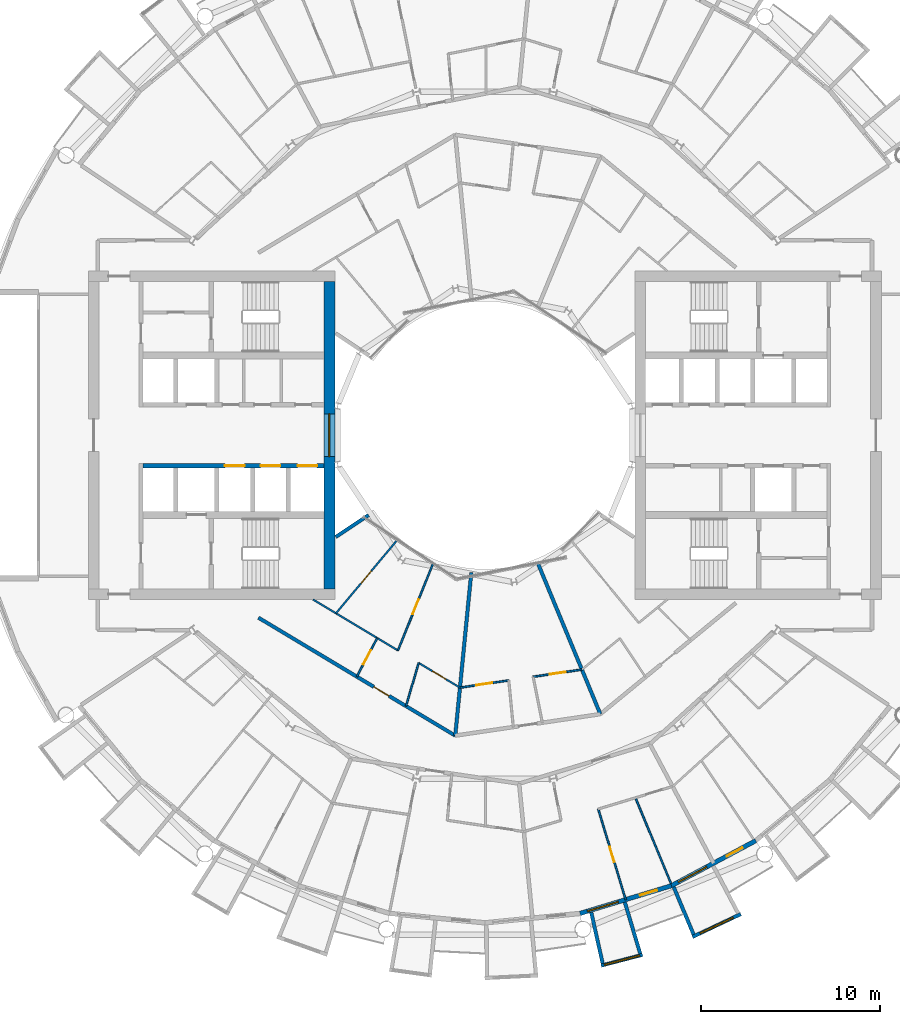
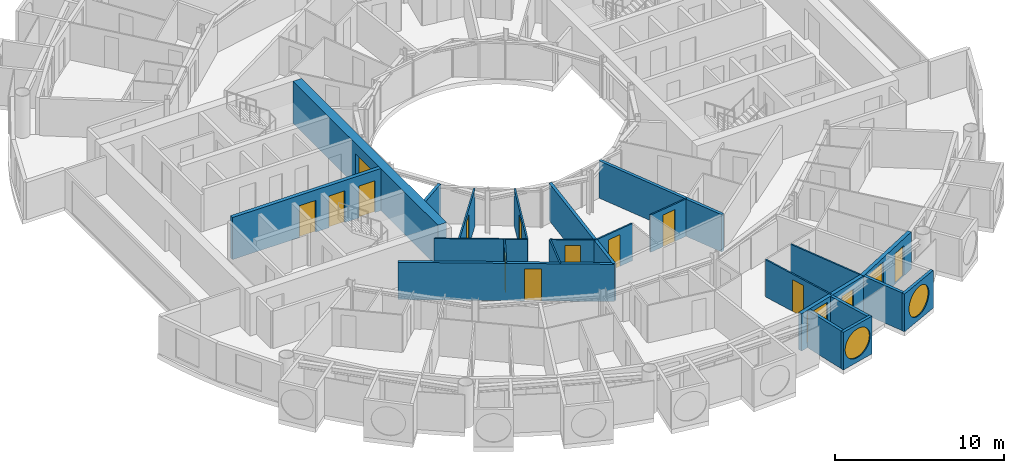
# One storey, part 16 of 28: 23 walls, 13 doors, 5 windows, 18 openings.
"""IFC4 building model written with IfcOpenShell, lengths in metres."""

from ifc_helpers import new_model, si_unit, direction, frame, frame_2d, origin, place, context, subcontext, project, spatial, rectangle, circle, extrude, material, layer, layer_set, type_object, element, fill, save


model = new_model("IFC4")

# Units and contexts
model_context = context("Model", 3, precision=1e-05, world=origin(), true_north=direction((0.0, 1.0)))
body_context = subcontext(model_context, "Body", "Model", "MODEL_VIEW")
ifc_project = project(units=[si_unit("LENGTHUNIT", "METRE"), si_unit("AREAUNIT", "SQUARE_METRE"), si_unit("VOLUMEUNIT", "CUBIC_METRE"), si_unit("PLANEANGLEUNIT", "RADIAN"), si_unit("MASSUNIT", "GRAM", prefix="KILO")], contexts=[model_context])

# Site, building, storey
site_placement = place(None, origin())
site = spatial("IfcSite", under=ifc_project, at=site_placement, CompositionType="ELEMENT")
building_placement = place(site_placement, origin())
building = spatial("IfcBuilding", under=site, at=building_placement, Name="Maasbend Ring Residences", CompositionType="ELEMENT")
storey_placement = place(building_placement, frame((0.0, 0.0, 129.949951171875)))
storey = spatial("IfcBuildingStorey", under=building, at=storey_placement, Name="L37", CompositionType="ELEMENT", Elevation=129.949951171875)

# Wall, openings, doors
ifc_material_1 = material(Name="Concrete C60/75", Category="concrete")
ifc_layer_1 = layer(ifc_material_1, 0.25)
ifc_layer_set_1 = layer_set([ifc_layer_1], Name="Concrete C60/75")
wall_type_1 = type_object("IfcWallType", Name="CORE WALL 250 C60/75", PredefinedType="SHEAR", material=ifc_layer_set_1)
wall_1_placement = place(storey_placement, frame((-9.0, -1.699951171875, 0.0), z_axis=(0.0, 0.0, 1.0), x_axis=(-1.0, 0.0, 0.0)))
wall_1 = element("IfcWall", 1, at=wall_1_placement, inside=storey, type_object=wall_type_1, Name="L37 core W wall SPN", PredefinedType="SHEAR", context=body_context, shape_type="SweptSolid", body=[
    extrude(rectangle(XDim=10.14990234375, YDim=0.25, at=frame_2d((5.074951171875, 0.0))), origin(), (0.0, 0.0, 1.0), 3.050048828125),
])
opening_1_placement = place(wall_1_placement, frame((0.387451171875, 0.0, 0.0)))
opening_1 = element("IfcOpeningElement", 2, at=opening_1_placement, cuts=wall_1, Name="Opening LD-W3701", PredefinedType="OPENING", context=body_context, shape_type="SweptSolid", body=[
    extrude(rectangle(XDim=1.10009765625, YDim=2.300048828125, at=frame_2d((0.550048828125, 1.14990234375))), frame((0.0, 0.135009765625, 0.0), z_axis=(0.0, -1.0, 0.0), x_axis=(1.0, 0.0, 0.0)), (0.0, 0.0, 1.0), 0.27001953125),
])
opening_2_placement = place(wall_1_placement, frame((2.449951171875, 0.0, 0.0)))
opening_2 = element("IfcOpeningElement", 3, at=opening_2_placement, cuts=wall_1, Name="Opening LD-W3702", PredefinedType="OPENING", context=body_context, shape_type="SweptSolid", body=[
    extrude(rectangle(XDim=1.10009765625, YDim=2.300048828125, at=frame_2d((0.550048828125, 1.14990234375))), frame((0.0, 0.135009765625, 0.0), z_axis=(0.0, -1.0, 0.0), x_axis=(1.0, 0.0, 0.0)), (0.0, 0.0, 1.0), 0.27001953125),
])
opening_3_placement = place(wall_1_placement, frame((4.449951171875, 0.0, 0.0)))
opening_3 = element("IfcOpeningElement", 4, at=opening_3_placement, cuts=wall_1, Name="Opening LD-W3703", PredefinedType="OPENING", context=body_context, shape_type="SweptSolid", body=[
    extrude(rectangle(XDim=1.10009765625, YDim=2.300048828125, at=frame_2d((0.550048828125, 1.14990234375))), frame((0.0, 0.135009765625, 0.0), z_axis=(0.0, -1.0, 0.0), x_axis=(1.0, 0.0, 0.0)), (0.0, 0.0, 1.0), 0.27001953125),
])
ifc_material_2 = material(Name="Stainless steel 316", Category="steel")
door_type_1 = type_object("IfcDoorType", Name="LANDING DOOR 1100 X 2300 FD60", OperationType="DOUBLE_DOOR_SLIDING", PredefinedType="DOOR", material=ifc_material_2)
door_1_placement = place(opening_1_placement, origin())
door_1 = element("IfcDoor", 5, at=door_1_placement, inside=storey, type_object=door_type_1, Name="Landing door LR-W1 L37", OperationType="DOUBLE_DOOR_SLIDING", OverallHeight=2.300048828125, OverallWidth=1.10009765625, PredefinedType="DOOR", context=body_context, shape_type="SweptSolid", body=[
    extrude(rectangle(XDim=1.10009765625, YDim=2.300048828125, at=frame_2d((0.550048828125, 1.14990234375))), frame((0.0, 0.02490234375, 0.0), z_axis=(0.0, -1.0, 0.0), x_axis=(1.0, 0.0, 0.0)), (0.0, 0.0, 1.0), 0.050048828125),
])
fill(opening_1, door_1)
door_2_placement = place(opening_2_placement, origin())
door_2 = element("IfcDoor", 6, at=door_2_placement, inside=storey, type_object=door_type_1, Name="Landing door LR-W2 L37", OperationType="DOUBLE_DOOR_SLIDING", OverallHeight=2.300048828125, OverallWidth=1.10009765625, PredefinedType="DOOR", context=body_context, shape_type="SweptSolid", body=[
    extrude(rectangle(XDim=1.10009765625, YDim=2.300048828125, at=frame_2d((0.550048828125, 1.14990234375))), frame((0.0, 0.02490234375, 0.0), z_axis=(0.0, -1.0, 0.0), x_axis=(1.0, 0.0, 0.0)), (0.0, 0.0, 1.0), 0.050048828125),
])
fill(opening_2, door_2)
door_3_placement = place(opening_3_placement, origin())
door_3 = element("IfcDoor", 7, at=door_3_placement, inside=storey, type_object=door_type_1, Name="Landing door LR-W3 L37", OperationType="DOUBLE_DOOR_SLIDING", OverallHeight=2.300048828125, OverallWidth=1.10009765625, PredefinedType="DOOR", context=body_context, shape_type="SweptSolid", body=[
    extrude(rectangle(XDim=1.10009765625, YDim=2.300048828125, at=frame_2d((0.550048828125, 1.14990234375))), frame((0.0, 0.02490234375, 0.0), z_axis=(0.0, -1.0, 0.0), x_axis=(1.0, 0.0, 0.0)), (0.0, 0.0, 1.0), 0.050048828125),
])
fill(opening_3, door_3)

# Wall, opening, window
ifc_material_3 = material(Name="Concrete C60/75", Category="concrete")
ifc_layer_2 = layer(ifc_material_3, 0.60009765625)
ifc_layer_set_2 = layer_set([ifc_layer_2], Name="Concrete C60/75")
wall_type_2 = type_object("IfcWallType", Name="CORE WALL 600 C60/75", PredefinedType="SHEAR", material=ifc_layer_set_2)
wall_2_placement = place(storey_placement, frame((-8.699951171875, 8.60009765625, 0.0), z_axis=(0.0, 0.0, 1.0), x_axis=(0.0, -1.0, 0.0)))
wall_2 = element("IfcWall", 8, at=wall_2_placement, inside=storey, type_object=wall_type_2, Name="L37 core W wall PIN", PredefinedType="SHEAR", context=body_context, shape_type="SweptSolid", body=[
    extrude(rectangle(XDim=17.2001953125, YDim=0.60009765625, at=frame_2d((8.60009765625, 0.0))), origin(), (0.0, 0.0, 1.0), 3.050048828125),
])
opening_4_placement = place(wall_2_placement, frame((7.39990234375, 0.0, 0.10009765625)))
opening_4 = element("IfcOpeningElement", 9, at=opening_4_placement, cuts=wall_2, Name="Opening W-W3701", PredefinedType="OPENING", context=body_context, shape_type="SweptSolid", body=[
    extrude(rectangle(XDim=2.39990234375, YDim=2.199951171875, at=frame_2d((1.199951171875, 1.10009765625))), frame((0.0, 0.31005859375, 0.0), z_axis=(0.0, -1.0, 0.0), x_axis=(1.0, 0.0, 0.0)), (0.0, 0.0, 1.0), 0.6201171875),
])
ifc_material_4 = material(Name="Aluminium frame and clear glass", Category="aluminium")
window_type_1 = type_object("IfcWindowType", Name="FIXED WINDOW 2400 X 2200", PartitioningType="SINGLE_PANEL", PredefinedType="WINDOW", material=ifc_material_4)
window_1_placement = place(opening_4_placement, origin())
window_1 = element("IfcWindow", 10, at=window_1_placement, inside=storey, type_object=window_type_1, Name="Lobby window L37", OverallHeight=2.199951171875, OverallWidth=2.39990234375, PartitioningType="SINGLE_PANEL", PredefinedType="WINDOW", context=body_context, shape_type="SweptSolid", body=[
    extrude(rectangle(XDim=2.39990234375, YDim=2.199951171875, at=frame_2d((1.199951171875, 1.10009765625))), frame((0.0, 0.030029296875, 0.0), z_axis=(0.0, -1.0, 0.0), x_axis=(1.0, 0.0, 0.0)), (0.0, 0.0, 1.0), 0.06005859375),
])
fill(opening_4, window_1)

# Wall, opening, door
ifc_material_5 = material(Name="Concrete C30/37", Category="concrete")
ifc_layer_3 = layer(ifc_material_5, 0.199951171875)
ifc_layer_set_3 = layer_set([ifc_layer_3], Name="Concrete C30/37")
wall_type_3 = type_object("IfcWallType", Name="CORRIDOR WALL 200 CONCRETE", PredefinedType="PARTITIONING", material=ifc_layer_set_3)
wall_3_placement = place(storey_placement, frame((-12.674072265625, -10.216064453125, 0.0), z_axis=(0.0, 0.0, 1.0), x_axis=(0.857761135463, -0.514048474844, 0.0)))
wall_3 = element("IfcWall", 11, at=wall_3_placement, inside=storey, type_object=wall_type_3, Name="U-L37-w018", PredefinedType="PARTITIONING", context=body_context, shape_type="SweptSolid", body=[
    extrude(rectangle(XDim=12.84521484375, YDim=0.199951171875, at=frame_2d((6.422607421875, 0.0))), origin(), (0.0, 0.0, 1.0), 2.699951171875),
])
opening_5_placement = place(wall_3_placement, frame((7.527099609375, 0.0, 0.0)))
opening_5 = element("IfcOpeningElement", 12, at=opening_5_placement, cuts=wall_3, Name="Opening D-3759", PredefinedType="OPENING", context=body_context, shape_type="SweptSolid", body=[
    extrude(rectangle(XDim=1.0, YDim=2.300048828125, at=frame_2d((0.5, 1.14990234375))), frame((0.0, 0.10986328125, 0.0), z_axis=(0.0, -1.0, 0.0), x_axis=(1.0, 0.0, 0.0)), (0.0, 0.0, 1.0), 0.219970703125),
])
ifc_material_6 = material(Name="Timber, fire-rated, painted", Category="wood")
door_type_2 = type_object("IfcDoorType", Name="FLAT ENTRANCE DOOR 1000 X 2300 FIRE-RATED", OperationType="NOTDEFINED", PredefinedType="DOOR", material=ifc_material_6)
door_4_placement = place(opening_5_placement, origin())
door_4 = element("IfcDoor", 13, at=door_4_placement, inside=storey, type_object=door_type_2, Name="D-3759", OperationType="SINGLE_SWING_RIGHT", OverallHeight=2.300048828125, OverallWidth=1.0, PredefinedType="DOOR", context=body_context, shape_type="SweptSolid", body=[
    extrude(rectangle(XDim=1.0, YDim=2.300048828125, at=frame_2d((0.5, 1.14990234375))), frame((0.0, 0.02490234375, 0.0), z_axis=(0.0, -1.0, 0.0), x_axis=(1.0, 0.0, 0.0)), (0.0, 0.0, 1.0), 0.050048828125),
])
fill(opening_5, door_4)

# Wall, opening, window
ifc_material_7 = material(Name="Pale anodised aluminium panel", Category="aluminium")
ifc_layer_4 = layer(ifc_material_7, 0.199951171875)
ifc_layer_set_4 = layer_set([ifc_layer_4], Name="EW-BOX")
wall_type_4 = type_object("IfcWallType", Name="EW-BOX", PredefinedType="SOLIDWALL", material=ifc_layer_set_4)
wall_4_placement = place(storey_placement, frame((6.514892578125, -29.694091796875, -0.030029296875), z_axis=(0.0, 0.0, 1.0), x_axis=(0.967554339146, 0.252663018266, 0.0)))
wall_4 = element("IfcWall", 14, at=wall_4_placement, inside=storey, type_object=wall_type_4, Name="Box front S13", PredefinedType="SOLIDWALL", context=body_context, shape_type="SweptSolid", body=[
    extrude(rectangle(XDim=2.390625, YDim=0.199951171875, at=frame_2d((1.1953125, 0.0))), origin(), (0.0, 0.0, 1.0), 2.72998046875),
])
opening_6_placement = place(wall_4_placement, frame((0.15576171875, 0.0, 0.330078125)))
opening_6 = element("IfcOpeningElement", 15, at=opening_6_placement, cuts=wall_4, Name="Opening W-RD", PredefinedType="OPENING", context=body_context, shape_type="SweptSolid", body=[
    extrude(circle(Radius=1.0400390625, at=frame_2d((1.0400390625, 1.0400390625))), frame((0.0, 0.10986328125, 0.0), z_axis=(0.0, -1.0, 0.0), x_axis=(1.0, 0.0, 0.0)), (0.0, 0.0, 1.0), 0.219970703125),
])
ifc_material_8 = material(Name="Aluminium and clear glass", Category="aluminium")
window_type_2 = type_object("IfcWindowType", Name="W-RD", PartitioningType="SINGLE_PANEL", PredefinedType="WINDOW", material=ifc_material_8)
window_2_placement = place(opening_6_placement, origin())
window_2 = element("IfcWindow", 16, at=window_2_placement, inside=storey, type_object=window_type_2, Name="Round window S13", OverallHeight=2.080078125, OverallWidth=2.080078125, PartitioningType="SINGLE_PANEL", PredefinedType="WINDOW", context=body_context, shape_type="SweptSolid", body=[
    extrude(circle(Radius=1.0400390625, at=frame_2d((1.0400390625, 1.0400390625))), frame((0.0, 0.030029296875, 0.0), z_axis=(0.0, -1.0, 0.0), x_axis=(1.0, 0.0, 0.0)), (0.0, 0.0, 1.0), 0.06005859375),
])
fill(opening_6, window_2)

# Walls
wall_5_placement = place(storey_placement, frame((5.95703125, -26.715087890625, -0.030029296875), z_axis=(0.0, 0.0, 1.0), x_axis=(0.217857287091, -0.975980636315, 0.0)))
element("IfcWall", 17, at=wall_5_placement, inside=storey, type_object=wall_type_4, Name="Box side wall S13 left", PredefinedType="SOLIDWALL", context=body_context, shape_type="SweptSolid", body=[
    extrude(rectangle(XDim=2.92822265625, YDim=0.199951171875, at=frame_2d((1.464111328125, 0.0))), origin(), (0.0, 0.0, 1.0), 2.72998046875),
])
wall_6_placement = place(storey_placement, frame((7.8369140625, -26.14404296875, -0.030029296875), z_axis=(0.0, 0.0, 1.0), x_axis=(0.287064767992, -0.957911174889, 0.0)))
element("IfcWall", 18, at=wall_6_placement, inside=storey, type_object=wall_type_4, Name="Box side wall S13 right", PredefinedType="SOLIDWALL", context=body_context, shape_type="SweptSolid", body=[
    extrude(rectangle(XDim=3.00634765625, YDim=0.199951171875, at=frame_2d((1.503173828125, 0.0))), origin(), (0.0, 0.0, 1.0), 2.72998046875),
])

# Wall, opening, window
wall_7_placement = place(storey_placement, frame((11.62890625, -28.087890625, -0.030029296875), z_axis=(0.0, 0.0, 1.0), x_axis=(0.904000060331, 0.427532327342, 0.0)))
wall_7 = element("IfcWall", 19, at=wall_7_placement, inside=storey, type_object=wall_type_4, Name="Box front S15", PredefinedType="SOLIDWALL", context=body_context, shape_type="SweptSolid", body=[
    extrude(rectangle(XDim=2.993408203125, YDim=0.199951171875, at=frame_2d((1.49658203125, 0.0))), origin(), (0.0, 0.0, 1.0), 2.72998046875),
])
opening_7_placement = place(wall_7_placement, frame((0.45654296875, 0.0, 0.330078125)))
opening_7 = element("IfcOpeningElement", 20, at=opening_7_placement, cuts=wall_7, Name="Opening W-RD", PredefinedType="OPENING", context=body_context, shape_type="SweptSolid", body=[
    extrude(circle(Radius=1.0400390625, at=frame_2d((1.0400390625, 1.0400390625))), frame((0.0, 0.10986328125, 0.0), z_axis=(0.0, -1.0, 0.0), x_axis=(1.0, 0.0, 0.0)), (0.0, 0.0, 1.0), 0.219970703125),
])
window_3_placement = place(opening_7_placement, origin())
window_3 = element("IfcWindow", 21, at=window_3_placement, inside=storey, type_object=window_type_2, Name="Round window S15", OverallHeight=2.080078125, OverallWidth=2.080078125, PartitioningType="SINGLE_PANEL", PredefinedType="WINDOW", context=body_context, shape_type="SweptSolid", body=[
    extrude(circle(Radius=1.0400390625, at=frame_2d((1.0400390625, 1.0400390625))), frame((0.0, 0.030029296875, 0.0), z_axis=(0.0, -1.0, 0.0), x_axis=(1.0, 0.0, 0.0)), (0.0, 0.0, 1.0), 0.06005859375),
])
fill(opening_7, window_3)

# Wall
wall_8_placement = place(storey_placement, frame((10.574951171875, -25.294921875, -0.030029296875), z_axis=(0.0, 0.0, 1.0), x_axis=(0.385697364644, -0.922625353492, 0.0)))
element("IfcWall", 22, at=wall_8_placement, inside=storey, type_object=wall_type_4, Name="Box side wall S15 left", PredefinedType="SOLIDWALL", context=body_context, shape_type="SweptSolid", body=[
    extrude(rectangle(XDim=2.88330078125, YDim=0.199951171875, at=frame_2d((1.441650390625, 0.0))), origin(), (0.0, 0.0, 1.0), 2.72998046875),
])

# Wall, openings, door, window
ifc_material_9 = material(Name="Aluminium clad insulated panel", Category="aluminium")
ifc_layer_5 = layer(ifc_material_9, 0.25)
ifc_layer_set_5 = layer_set([ifc_layer_5], Name="EW-GL")
wall_type_5 = type_object("IfcWallType", Name="EW-GL", PredefinedType="SOLIDWALL", material=ifc_layer_set_5)
wall_9_placement = place(storey_placement, frame((5.325927734375, -26.77490234375, 0.0), z_axis=(0.0, 0.0, 1.0), x_axis=(0.956965678721, 0.290201119486, 0.0)))
wall_9 = element("IfcWall", 23, at=wall_9_placement, inside=storey, type_object=wall_type_5, Name="External wall S07", PredefinedType="SOLIDWALL", context=body_context, shape_type="SweptSolid", body=[
    extrude(rectangle(XDim=5.351318359375, YDim=0.25, at=frame_2d((2.67578125, 0.0))), origin(), (0.0, 0.0, 1.0), 2.699951171875),
])
opening_8_placement = place(wall_9_placement, frame((0.441162109375, 0.0, 0.300048828125)))
opening_8 = element("IfcOpeningElement", 24, at=opening_8_placement, cuts=wall_9, Name="Opening W-BX", PredefinedType="OPENING", context=body_context, shape_type="SweptSolid", body=[
    extrude(rectangle(XDim=1.800048828125, YDim=2.10009765625, at=frame_2d((0.89990234375, 1.050048828125))), frame((0.0, 0.135009765625, 0.0), z_axis=(0.0, -1.0, 0.0), x_axis=(1.0, 0.0, 0.0)), (0.0, 0.0, 1.0), 0.27001953125),
])
opening_9_placement = place(wall_9_placement, frame((3.510498046875, 0.0, 0.0)))
opening_9 = element("IfcOpeningElement", 25, at=opening_9_placement, cuts=wall_9, Name="Opening D-LG", PredefinedType="OPENING", context=body_context, shape_type="SweptSolid", body=[
    extrude(rectangle(XDim=1.0, YDim=2.199951171875, at=frame_2d((0.5, 1.10009765625))), frame((0.0, 0.135009765625, 0.0), z_axis=(0.0, -1.0, 0.0), x_axis=(1.0, 0.0, 0.0)), (0.0, 0.0, 1.0), 0.27001953125),
])
ifc_material_10 = material(Name="Aluminium and clear glass", Category="aluminium")
door_type_3 = type_object("IfcDoorType", Name="D-LG", OperationType="SINGLE_SWING_LEFT", PredefinedType="DOOR", material=ifc_material_10)
door_5_placement = place(opening_9_placement, origin())
door_5 = element("IfcDoor", 26, at=door_5_placement, inside=storey, type_object=door_type_3, Name="Loggia door S14", OperationType="SINGLE_SWING_LEFT", OverallHeight=2.199951171875, OverallWidth=1.0, PredefinedType="DOOR", context=body_context, shape_type="SweptSolid", body=[
    extrude(rectangle(XDim=1.0, YDim=2.199951171875, at=frame_2d((0.5, 1.10009765625))), frame((0.0, 0.02490234375, 0.0), z_axis=(0.0, -1.0, 0.0), x_axis=(1.0, 0.0, 0.0)), (0.0, 0.0, 1.0), 0.050048828125),
])
fill(opening_9, door_5)
ifc_material_11 = material(Name="Aluminium and clear glass", Category="aluminium")
window_type_3 = type_object("IfcWindowType", Name="W-BX", PartitioningType="DOUBLE_PANEL_VERTICAL", PredefinedType="WINDOW", material=ifc_material_11)
window_4_placement = place(opening_8_placement, origin())
window_4 = element("IfcWindow", 27, at=window_4_placement, inside=storey, type_object=window_type_3, Name="Window S13 room to box", OverallHeight=2.10009765625, OverallWidth=1.800048828125, PartitioningType="SINGLE_PANEL", PredefinedType="WINDOW", context=body_context, shape_type="SweptSolid", body=[
    extrude(rectangle(XDim=1.800048828125, YDim=2.10009765625, at=frame_2d((0.89990234375, 1.050048828125))), frame((0.0, 0.030029296875, 0.0), z_axis=(0.0, -1.0, 0.0), x_axis=(1.0, 0.0, 0.0)), (0.0, 0.0, 1.0), 0.06005859375),
])
fill(opening_8, window_4)

wall_10_placement = place(storey_placement, frame((10.447021484375, -25.221923828125, 0.0), z_axis=(0.0, 0.0, 1.0), x_axis=(0.881915646801, 0.471407246368, 0.0)))
wall_10 = element("IfcWall", 28, at=wall_10_placement, inside=storey, type_object=wall_type_5, Name="External wall S08", PredefinedType="SOLIDWALL", context=body_context, shape_type="SweptSolid", body=[
    extrude(rectangle(XDim=5.35205078125, YDim=0.25, at=frame_2d((2.676025390625, 0.0))), origin(), (0.0, 0.0, 1.0), 2.699951171875),
])
opening_10_placement = place(wall_10_placement, frame((0.441162109375, 0.0, 0.300048828125)))
opening_10 = element("IfcOpeningElement", 29, at=opening_10_placement, cuts=wall_10, Name="Opening W-BX", PredefinedType="OPENING", context=body_context, shape_type="SweptSolid", body=[
    extrude(rectangle(XDim=1.800048828125, YDim=2.10009765625, at=frame_2d((0.89990234375, 1.050048828125))), frame((0.0, 0.135009765625, 0.0), z_axis=(0.0, -1.0, 0.0), x_axis=(1.0, 0.0, 0.0)), (0.0, 0.0, 1.0), 0.27001953125),
])
opening_11_placement = place(wall_10_placement, frame((3.510498046875, 0.0, 0.0)))
opening_11 = element("IfcOpeningElement", 30, at=opening_11_placement, cuts=wall_10, Name="Opening D-LG", PredefinedType="OPENING", context=body_context, shape_type="SweptSolid", body=[
    extrude(rectangle(XDim=1.0, YDim=2.199951171875, at=frame_2d((0.5, 1.10009765625))), frame((0.0, 0.135009765625, 0.0), z_axis=(0.0, -1.0, 0.0), x_axis=(1.0, 0.0, 0.0)), (0.0, 0.0, 1.0), 0.27001953125),
])
door_6_placement = place(opening_11_placement, origin())
door_6 = element("IfcDoor", 31, at=door_6_placement, inside=storey, type_object=door_type_3, Name="Loggia door S16", OperationType="SINGLE_SWING_LEFT", OverallHeight=2.199951171875, OverallWidth=1.0, PredefinedType="DOOR", context=body_context, shape_type="SweptSolid", body=[
    extrude(rectangle(XDim=1.0, YDim=2.199951171875, at=frame_2d((0.5, 1.10009765625))), frame((0.0, 0.02490234375, 0.0), z_axis=(0.0, -1.0, 0.0), x_axis=(1.0, 0.0, 0.0)), (0.0, 0.0, 1.0), 0.050048828125),
])
fill(opening_11, door_6)
window_5_placement = place(opening_10_placement, origin())
window_5 = element("IfcWindow", 32, at=window_5_placement, inside=storey, type_object=window_type_3, Name="Window S15 room to box", OverallHeight=2.10009765625, OverallWidth=1.800048828125, PartitioningType="SINGLE_PANEL", PredefinedType="WINDOW", context=body_context, shape_type="SweptSolid", body=[
    extrude(rectangle(XDim=1.800048828125, YDim=2.10009765625, at=frame_2d((0.89990234375, 1.050048828125))), frame((0.0, 0.030029296875, 0.0), z_axis=(0.0, -1.0, 0.0), x_axis=(1.0, 0.0, 0.0)), (0.0, 0.0, 1.0), 0.06005859375),
])
fill(opening_10, window_5)

# Wall, opening, door
ifc_material_12 = material(Name="Gypsum board on steel studs", Category="steel")
ifc_layer_6 = layer(ifc_material_12, 0.10009765625)
ifc_layer_set_6 = layer_set([ifc_layer_6], Name="PARTITION 100 GYPSUM")
wall_type_6 = type_object("IfcWallType", Name="PARTITION 100 GYPSUM", PredefinedType="PARTITIONING", material=ifc_layer_set_6)
wall_11_placement = place(storey_placement, frame((-1.39208984375, -14.132080078125, 0.0), z_axis=(0.0, 0.0, 1.0), x_axis=(0.989182088026, 0.146692865293, 0.0)))
wall_11 = element("IfcWall", 33, at=wall_11_placement, inside=storey, type_object=wall_type_6, Name="U-L37-w019", PredefinedType="PARTITIONING", context=body_context, shape_type="SweptSolid", body=[
    extrude(rectangle(XDim=2.760986328125, YDim=0.10009765625, at=frame_2d((1.38037109375, 0.0))), origin(), (0.0, 0.0, 1.0), 2.699951171875),
])
opening_12_placement = place(wall_11_placement, frame((0.929931640625, 0.0, 0.0)))
opening_12 = element("IfcOpeningElement", 34, at=opening_12_placement, cuts=wall_11, Name="Opening D-3766", PredefinedType="OPENING", context=body_context, shape_type="SweptSolid", body=[
    extrude(rectangle(XDim=0.89990234375, YDim=2.300048828125, at=frame_2d((0.449951171875, 1.14990234375))), frame((0.0, 0.06005859375, 0.0), z_axis=(0.0, -1.0, 0.0), x_axis=(1.0, 0.0, 0.0)), (0.0, 0.0, 1.0), 0.1201171875),
])
ifc_material_13 = material(Name="Timber, painted", Category="wood")
door_type_4 = type_object("IfcDoorType", Name="INTERNAL DOOR 900 X 2300", OperationType="NOTDEFINED", PredefinedType="DOOR", material=ifc_material_13)
door_7_placement = place(opening_12_placement, origin())
door_7 = element("IfcDoor", 35, at=door_7_placement, inside=storey, type_object=door_type_4, Name="D-3766", OperationType="SINGLE_SWING_LEFT", OverallHeight=2.300048828125, OverallWidth=0.89990234375, PredefinedType="DOOR", context=body_context, shape_type="SweptSolid", body=[
    extrude(rectangle(XDim=0.89990234375, YDim=2.300048828125, at=frame_2d((0.449951171875, 1.14990234375))), frame((0.0, 0.02490234375, 0.0), z_axis=(0.0, -1.0, 0.0), x_axis=(1.0, 0.0, 0.0)), (0.0, 0.0, 1.0), 0.050048828125),
])
fill(opening_12, door_7)

wall_12_placement = place(storey_placement, frame((2.702880859375, -13.52490234375, 0.0), z_axis=(0.0, 0.0, 1.0), x_axis=(0.98918730894, 0.146657655211, 0.0)))
wall_12 = element("IfcWall", 36, at=wall_12_placement, inside=storey, type_object=wall_type_6, Name="U-L37-w020", PredefinedType="PARTITIONING", context=body_context, shape_type="SweptSolid", body=[
    extrude(rectangle(XDim=2.760009765625, YDim=0.10009765625, at=frame_2d((1.3798828125, 0.0))), origin(), (0.0, 0.0, 1.0), 2.699951171875),
])
opening_13_placement = place(wall_12_placement, frame((0.930908203125, 0.0, 0.0)))
opening_13 = element("IfcOpeningElement", 37, at=opening_13_placement, cuts=wall_12, Name="Opening D-3765", PredefinedType="OPENING", context=body_context, shape_type="SweptSolid", body=[
    extrude(rectangle(XDim=0.89990234375, YDim=2.300048828125, at=frame_2d((0.449951171875, 1.14990234375))), frame((0.0, 0.06005859375, 0.0), z_axis=(0.0, -1.0, 0.0), x_axis=(1.0, 0.0, 0.0)), (0.0, 0.0, 1.0), 0.1201171875),
])
door_8_placement = place(opening_13_placement, origin())
door_8 = element("IfcDoor", 38, at=door_8_placement, inside=storey, type_object=door_type_4, Name="D-3765", OperationType="SINGLE_SWING_RIGHT", OverallHeight=2.300048828125, OverallWidth=0.89990234375, PredefinedType="DOOR", context=body_context, shape_type="SweptSolid", body=[
    extrude(rectangle(XDim=0.89990234375, YDim=2.300048828125, at=frame_2d((0.449951171875, 1.14990234375))), frame((0.0, 0.02490234375, 0.0), z_axis=(0.0, -1.0, 0.0), x_axis=(1.0, 0.0, 0.0)), (0.0, 0.0, 1.0), 0.050048828125),
])
fill(opening_13, door_8)

# Wall
wall_13_placement = place(storey_placement, frame((-9.62109375, -9.198974609375, 0.0), z_axis=(0.0, 0.0, 1.0), x_axis=(0.857698539053, -0.514152911211, 0.0)))
element("IfcWall", 39, at=wall_13_placement, inside=storey, type_object=wall_type_6, Name="U-L37-w023", PredefinedType="PARTITIONING", context=body_context, shape_type="SweptSolid", body=[
    extrude(rectangle(XDim=5.55078125, YDim=0.10009765625, at=frame_2d((2.775390625, 0.0))), origin(), (0.0, 0.0, 1.0), 2.699951171875),
])

# Wall, opening, door
wall_14_placement = place(storey_placement, frame((-3.701904296875, -12.7470703125, 0.0), z_axis=(0.0, 0.0, 1.0), x_axis=(0.85772440305, -0.514109763001, 0.0)))
wall_14 = element("IfcWall", 40, at=wall_14_placement, inside=storey, type_object=wall_type_6, Name="U-L37-w024", PredefinedType="PARTITIONING", context=body_context, shape_type="SweptSolid", body=[
    extrude(rectangle(XDim=2.69775390625, YDim=0.10009765625, at=frame_2d((1.348876953125, 0.0))), origin(), (0.0, 0.0, 1.0), 2.699951171875),
])
opening_14_placement = place(wall_14_placement, frame((0.89404296875, 0.0, 0.0)))
opening_14 = element("IfcOpeningElement", 41, at=opening_14_placement, cuts=wall_14, Name="Opening D-3760", PredefinedType="OPENING", context=body_context, shape_type="SweptSolid", body=[
    extrude(rectangle(XDim=0.89990234375, YDim=2.300048828125, at=frame_2d((0.449951171875, 1.14990234375))), frame((0.0, 0.06005859375, 0.0), z_axis=(0.0, -1.0, 0.0), x_axis=(1.0, 0.0, 0.0)), (0.0, 0.0, 1.0), 0.1201171875),
])
door_9_placement = place(opening_14_placement, origin())
door_9 = element("IfcDoor", 42, at=door_9_placement, inside=storey, type_object=door_type_4, Name="D-3760", OperationType="SINGLE_SWING_LEFT", OverallHeight=2.300048828125, OverallWidth=0.89990234375, PredefinedType="DOOR", context=body_context, shape_type="SweptSolid", body=[
    extrude(rectangle(XDim=0.89990234375, YDim=2.300048828125, at=frame_2d((0.449951171875, 1.14990234375))), frame((0.0, 0.02490234375, 0.0), z_axis=(0.0, -1.0, 0.0), x_axis=(1.0, 0.0, 0.0)), (0.0, 0.0, 1.0), 0.050048828125),
])
fill(opening_14, door_9)

wall_15_placement = place(storey_placement, frame((-8.3349609375, -9.969970703125, 0.0), z_axis=(0.0, 0.0, 1.0), x_axis=(0.641376424834, 0.767226356213, 0.0)))
wall_15 = element("IfcWall", 43, at=wall_15_placement, inside=storey, type_object=wall_type_6, Name="U-L37-w044", PredefinedType="PARTITIONING", context=body_context, shape_type="SweptSolid", body=[
    extrude(rectangle(XDim=5.274658203125, YDim=0.10009765625, at=frame_2d((2.63720703125, 0.0))), origin(), (0.0, 0.0, 1.0), 2.699951171875),
])
opening_15_placement = place(wall_15_placement, frame((2.18701171875, 0.0, 0.0)))
opening_15 = element("IfcOpeningElement", 44, at=opening_15_placement, cuts=wall_15, Name="Opening D-3763", PredefinedType="OPENING", context=body_context, shape_type="SweptSolid", body=[
    extrude(rectangle(XDim=0.89990234375, YDim=2.300048828125, at=frame_2d((0.449951171875, 1.14990234375))), frame((0.0, 0.06005859375, 0.0), z_axis=(0.0, -1.0, 0.0), x_axis=(1.0, 0.0, 0.0)), (0.0, 0.0, 1.0), 0.1201171875),
])
door_10_placement = place(opening_15_placement, origin())
door_10 = element("IfcDoor", 45, at=door_10_placement, inside=storey, type_object=door_type_4, Name="D-3763", OperationType="SINGLE_SWING_RIGHT", OverallHeight=2.300048828125, OverallWidth=0.89990234375, PredefinedType="DOOR", context=body_context, shape_type="SweptSolid", body=[
    extrude(rectangle(XDim=0.89990234375, YDim=2.300048828125, at=frame_2d((0.449951171875, 1.14990234375))), frame((0.0, 0.02490234375, 0.0), z_axis=(0.0, -1.0, 0.0), x_axis=(1.0, 0.0, 0.0)), (0.0, 0.0, 1.0), 0.050048828125),
])
fill(opening_15, door_10)

wall_16_placement = place(storey_placement, frame((-7.1689453125, -13.51611328125, 0.0), z_axis=(0.0, 0.0, 1.0), x_axis=(0.468649029236, 0.883384450506, 0.0)))
wall_16 = element("IfcWall", 46, at=wall_16_placement, inside=storey, type_object=wall_type_6, Name="U-L37-w048", PredefinedType="PARTITIONING", context=body_context, shape_type="SweptSolid", body=[
    extrude(rectangle(XDim=2.4453125, YDim=0.10009765625, at=frame_2d((1.22265625, 0.0))), origin(), (0.0, 0.0, 1.0), 2.699951171875),
])
opening_16_placement = place(wall_16_placement, frame((0.77294921875, 0.0, 0.0)))
opening_16 = element("IfcOpeningElement", 47, at=opening_16_placement, cuts=wall_16, Name="Opening D-3761", PredefinedType="OPENING", context=body_context, shape_type="SweptSolid", body=[
    extrude(rectangle(XDim=0.89990234375, YDim=2.300048828125, at=frame_2d((0.449951171875, 1.14990234375))), frame((0.0, 0.06005859375, 0.0), z_axis=(0.0, -1.0, 0.0), x_axis=(1.0, 0.0, 0.0)), (0.0, 0.0, 1.0), 0.1201171875),
])
door_11_placement = place(opening_16_placement, origin())
door_11 = element("IfcDoor", 48, at=door_11_placement, inside=storey, type_object=door_type_4, Name="D-3761", OperationType="SINGLE_SWING_RIGHT", OverallHeight=2.300048828125, OverallWidth=0.89990234375, PredefinedType="DOOR", context=body_context, shape_type="SweptSolid", body=[
    extrude(rectangle(XDim=0.89990234375, YDim=2.300048828125, at=frame_2d((0.449951171875, 1.14990234375))), frame((0.0, 0.02490234375, 0.0), z_axis=(0.0, -1.0, 0.0), x_axis=(1.0, 0.0, 0.0)), (0.0, 0.0, 1.0), 0.050048828125),
])
fill(opening_16, door_11)

wall_17_placement = place(storey_placement, frame((-4.864013671875, -12.051025390625, 0.0), z_axis=(0.0, 0.0, 1.0), x_axis=(0.374372761824, 0.927278294367, 0.0)))
wall_17 = element("IfcWall", 49, at=wall_17_placement, inside=storey, type_object=wall_type_6, Name="U-L37-w052", PredefinedType="PARTITIONING", context=body_context, shape_type="SweptSolid", body=[
    extrude(rectangle(XDim=5.275634765625, YDim=0.10009765625, at=frame_2d((2.6376953125, 0.0))), origin(), (0.0, 0.0, 1.0), 2.699951171875),
])
opening_17_placement = place(wall_17_placement, frame((2.18798828125, 0.0, 0.0)))
opening_17 = element("IfcOpeningElement", 50, at=opening_17_placement, cuts=wall_17, Name="Opening D-3762", PredefinedType="OPENING", context=body_context, shape_type="SweptSolid", body=[
    extrude(rectangle(XDim=0.89990234375, YDim=2.300048828125, at=frame_2d((0.449951171875, 1.14990234375))), frame((0.0, 0.06005859375, 0.0), z_axis=(0.0, -1.0, 0.0), x_axis=(1.0, 0.0, 0.0)), (0.0, 0.0, 1.0), 0.1201171875),
])
door_12_placement = place(opening_17_placement, origin())
door_12 = element("IfcDoor", 51, at=door_12_placement, inside=storey, type_object=door_type_4, Name="D-3762", OperationType="SINGLE_SWING_RIGHT", OverallHeight=2.300048828125, OverallWidth=0.89990234375, PredefinedType="DOOR", context=body_context, shape_type="SweptSolid", body=[
    extrude(rectangle(XDim=0.89990234375, YDim=2.300048828125, at=frame_2d((0.449951171875, 1.14990234375))), frame((0.0, 0.02490234375, 0.0), z_axis=(0.0, -1.0, 0.0), x_axis=(1.0, 0.0, 0.0)), (0.0, 0.0, 1.0), 0.050048828125),
])
fill(opening_17, door_12)

# Wall
wall_18_placement = place(storey_placement, frame((-4.410888671875, -15.16796875, 0.0), z_axis=(0.0, 0.0, 1.0), x_axis=(0.279201466266, 0.960232545395, 0.0)))
element("IfcWall", 52, at=wall_18_placement, inside=storey, type_object=wall_type_6, Name="U-L37-w054", PredefinedType="PARTITIONING", context=body_context, shape_type="SweptSolid", body=[
    extrude(rectangle(XDim=2.5244140625, YDim=0.10009765625, at=frame_2d((1.26220703125, 0.0))), origin(), (0.0, 0.0, 1.0), 2.699951171875),
])

# Wall, opening, door
wall_19_placement = place(storey_placement, frame((6.34912109375, -20.929931640625, 0.0), z_axis=(0.0, 0.0, 1.0), x_axis=(0.290172218727, -0.956974442438, 0.0)))
wall_19 = element("IfcWall", 53, at=wall_19_placement, inside=storey, type_object=wall_type_6, Name="U-L37-w076", PredefinedType="PARTITIONING", context=body_context, shape_type="SweptSolid", body=[
    extrude(rectangle(XDim=5.30322265625, YDim=0.10009765625, at=frame_2d((2.651611328125, 0.0))), origin(), (0.0, 0.0, 1.0), 2.699951171875),
])
opening_18_placement = place(wall_19_placement, frame((2.201904296875, 0.0, 0.0)))
opening_18 = element("IfcOpeningElement", 54, at=opening_18_placement, cuts=wall_19, Name="Opening D-3751", PredefinedType="OPENING", context=body_context, shape_type="SweptSolid", body=[
    extrude(rectangle(XDim=0.89990234375, YDim=2.300048828125, at=frame_2d((0.449951171875, 1.14990234375))), frame((0.0, 0.06005859375, 0.0), z_axis=(0.0, -1.0, 0.0), x_axis=(1.0, 0.0, 0.0)), (0.0, 0.0, 1.0), 0.1201171875),
])
door_13_placement = place(opening_18_placement, origin())
door_13 = element("IfcDoor", 55, at=door_13_placement, inside=storey, type_object=door_type_4, Name="D-3751", OperationType="SINGLE_SWING_RIGHT", OverallHeight=2.300048828125, OverallWidth=0.89990234375, PredefinedType="DOOR", context=body_context, shape_type="SweptSolid", body=[
    extrude(rectangle(XDim=0.89990234375, YDim=2.300048828125, at=frame_2d((0.449951171875, 1.14990234375))), frame((0.0, 0.02490234375, 0.0), z_axis=(0.0, -1.0, 0.0), x_axis=(1.0, 0.0, 0.0)), (0.0, 0.0, 1.0), 0.050048828125),
])
fill(opening_18, door_13)

# Walls
wall_20_placement = place(storey_placement, frame((8.430908203125, -20.298095703125, 0.0), z_axis=(0.0, 0.0, 1.0), x_axis=(0.383480536297, -0.923548958248, 0.0)))
element("IfcWall", 56, at=wall_20_placement, inside=storey, type_object=wall_type_6, Name="U-L37-w080", PredefinedType="PARTITIONING", context=body_context, shape_type="SweptSolid", body=[
    extrude(rectangle(XDim=5.195068359375, YDim=0.10009765625, at=frame_2d((2.59765625, 0.0))), origin(), (0.0, 0.0, 1.0), 2.699951171875),
])
ifc_material_14 = material(Name="Concrete C30/37", Category="concrete")
ifc_layer_7 = layer(ifc_material_14, 0.199951171875)
ifc_layer_set_7 = layer_set([ifc_layer_7], Name="Concrete C30/37")
wall_type_7 = type_object("IfcWallType", Name="PARTY WALL 200 CONCRETE", PredefinedType="PARTITIONING", material=ifc_layer_set_7)
wall_21_placement = place(storey_placement, frame((-6.512939453125, -4.471923828125, 0.0), z_axis=(0.0, 0.0, 1.0), x_axis=(-0.831333375071, -0.555774072347, 0.0)))
element("IfcWall", 57, at=wall_21_placement, inside=storey, type_object=wall_type_7, Name="U-L37-w027", PredefinedType="PARTITIONING", context=body_context, shape_type="SweptSolid", body=[
    extrude(rectangle(XDim=2.20263671875, YDim=0.199951171875, at=frame_2d((1.101318359375, 0.0))), origin(), (0.0, 0.0, 1.0), 2.699951171875),
])
wall_22_placement = place(storey_placement, frame((-1.656982421875, -16.819091796875, 0.0), z_axis=(0.0, 0.0, 1.0), x_axis=(0.098026443043, 0.995183810391, 0.0)))
element("IfcWall", 58, at=wall_22_placement, inside=storey, type_object=wall_type_7, Name="U-L37-w060", PredefinedType="PARTITIONING", context=body_context, shape_type="SweptSolid", body=[
    extrude(rectangle(XDim=9.18017578125, YDim=0.199951171875, at=frame_2d((4.590087890625, 0.0))), origin(), (0.0, 0.0, 1.0), 2.699951171875),
])
wall_23_placement = place(storey_placement, frame((2.9541015625, -7.132080078125, 0.0), z_axis=(0.0, 0.0, 1.0), x_axis=(0.382646942224, -0.923894646378, 0.0)))
element("IfcWall", 59, at=wall_23_placement, inside=storey, type_object=wall_type_7, Name="U-L37-w070", PredefinedType="PARTITIONING", context=body_context, shape_type="SweptSolid", body=[
    extrude(rectangle(XDim=9.1806640625, YDim=0.199951171875, at=frame_2d((4.59033203125, 0.0))), origin(), (0.0, 0.0, 1.0), 2.699951171875),
])

save(model, "model.ifc")
